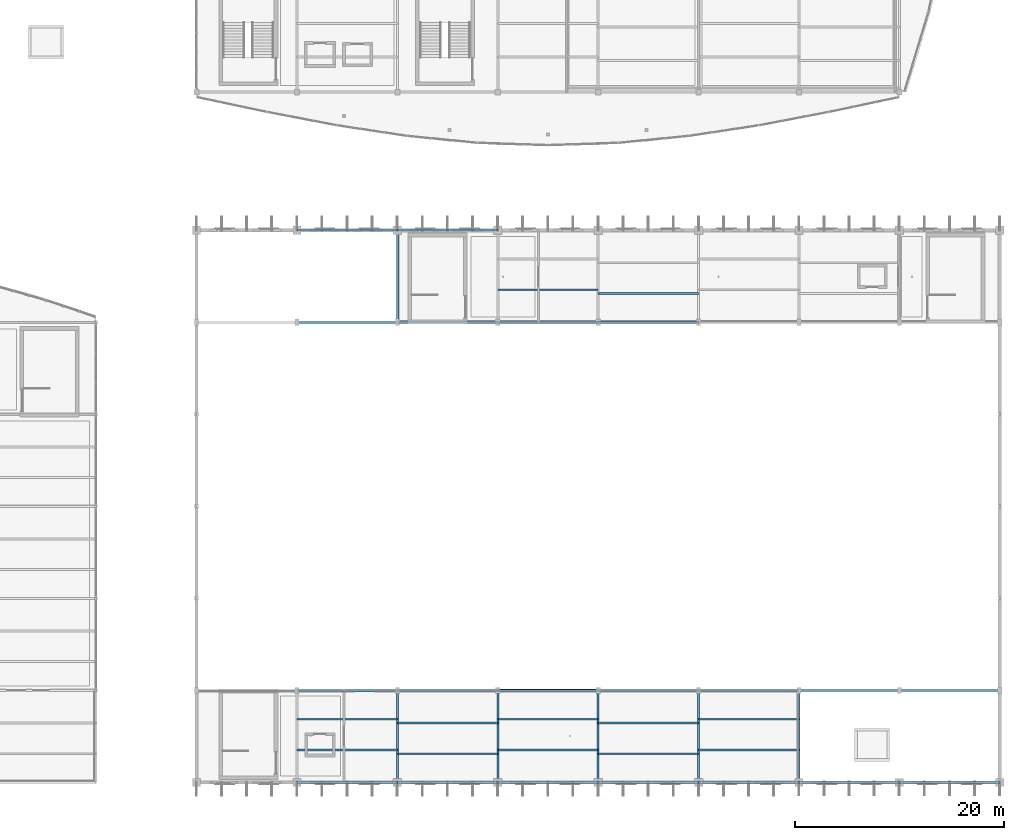
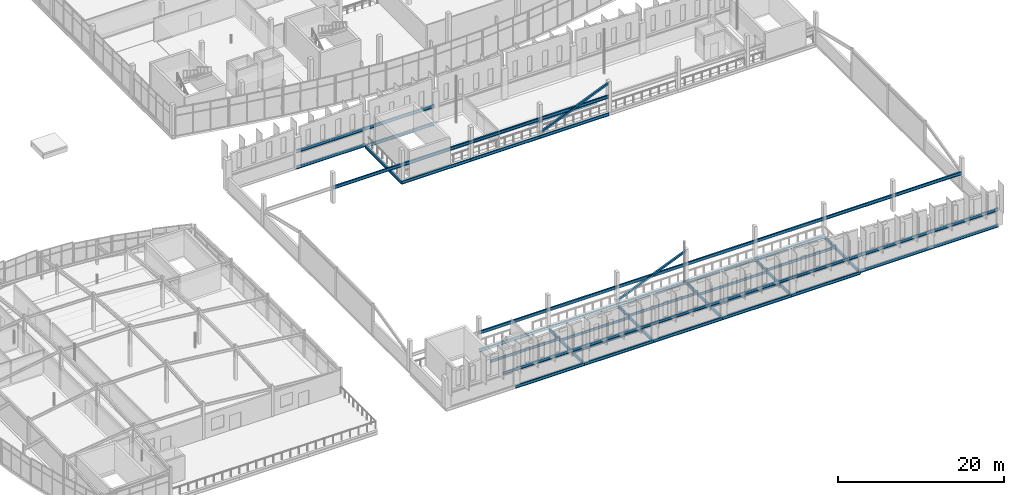
# One storey, part 41 of 114: 55 beams, 2 members.
"""IFC4 building model written with IfcOpenShell, lengths in metres."""

import ifcopenshell
import ifcopenshell.guid

model = None  # the IFC model being written
_history = None  # IfcOwnerHistory: only IFC2X3 demands one
_inside = {}  # id of a spatial element -> (the spatial element, [elements in it])
_under = {}  # id of a project, library or spatial element -> (it, [spatial elements below it])
_declared = {}  # id of a project -> (the project, [libraries it declares])
_typed = {}  # id of a type object -> (the type object, [elements of that type])
_made_of = {}  # id of a material, layer set ... -> (it, [elements and type objects made of it])


def new_model(schema):
    """Start an empty IFC model of exactly this schema.

    Asked for "IFC4X3", IfcOpenShell would pick the latest addendum, in which some entities
    have other attributes; the version numbers below select the first issue.
    IFC2X3 requires an IfcOwnerHistory on every rooted entity: one is made here for all.
    """
    global model, _history
    if schema == "IFC4X3":
        model = ifcopenshell.file(schema_version=(4, 3, 0, 0))
    else:
        model = ifcopenshell.file(schema=schema)
    _inside.clear()
    _under.clear()
    _declared.clear()
    _typed.clear()
    _made_of.clear()
    _history = None
    if model.schema == "IFC2X3":
        org = make("IfcOrganization", Name="unknown")
        user = make(
            "IfcPersonAndOrganization",
            ThePerson=make("IfcPerson", FamilyName="unknown"),
            TheOrganization=org,
        )
        app = make(
            "IfcApplication",
            ApplicationDeveloper=org,
            Version="unknown",
            ApplicationFullName="unknown",
            ApplicationIdentifier="unknown",
        )
        _history = make(
            "IfcOwnerHistory",
            OwningUser=user,
            OwningApplication=app,
            ChangeAction="ADDED",
            CreationDate=0,
        )
    return model


def make(cls, **values):
    """One entity of the class cls with the attributes given. An attribute that is None is left unset."""
    return model.create_entity(
        cls, **{name: value for name, value in values.items() if value is not None}
    )


def rooted(cls, **values):
    """An entity with a GlobalId (a new one), such as an element, a storey or a relation."""
    return make(cls, GlobalId=ifcopenshell.guid.new(), OwnerHistory=_history, **values)


def si_unit(unit_type, name, prefix=None):
    """IfcSIUnit, for example si_unit("LENGTHUNIT", "METRE", prefix="MILLI")."""
    return make("IfcSIUnit", UnitType=unit_type, Prefix=prefix, Name=name)


def assignment(units):
    """IfcUnitAssignment: the units of a project."""
    return None if units is None else make("IfcUnitAssignment", Units=units)


def point(xyz):
    """IfcCartesianPoint."""
    return None if xyz is None else make("IfcCartesianPoint", Coordinates=xyz)


def direction(xyz):
    """IfcDirection."""
    return None if xyz is None else make("IfcDirection", DirectionRatios=xyz)


def frame(location, z_axis=None, x_axis=None):
    """IfcAxis2Placement3D, a coordinate frame: its origin and axes. An axis left out is left unset."""
    return make(
        "IfcAxis2Placement3D",
        Location=point(location),
        Axis=direction(z_axis),
        RefDirection=direction(x_axis),
    )


def frame_2d(location, x_axis=None):
    """IfcAxis2Placement2D, a coordinate frame in the plane: its origin and x axis."""
    return make(
        "IfcAxis2Placement2D", Location=point(location), RefDirection=direction(x_axis)
    )


def origin():
    """The frame at (0, 0, 0) with its axes left unset."""
    return frame((0.0, 0.0, 0.0))


def origin_2d():
    """The frame at (0, 0) in the plane with its x axis left unset."""
    return frame_2d((0.0, 0.0))


def place(relative_to, where):
    """IfcLocalPlacement: puts the frame where relative to a parent placement (None: the world)."""
    return make(
        "IfcLocalPlacement", PlacementRelTo=relative_to, RelativePlacement=where
    )


def context(
    kind, dimensions, precision=None, world=None, true_north=None, identifier=None
):
    """IfcGeometricRepresentationContext, for example the 3D "Model" context."""
    return make(
        "IfcGeometricRepresentationContext",
        ContextIdentifier=identifier,
        ContextType=kind,
        CoordinateSpaceDimension=dimensions,
        Precision=precision,
        WorldCoordinateSystem=world,
        TrueNorth=true_north,
    )


def subcontext(parent, identifier, kind, view, scale=None):
    """IfcGeometricRepresentationSubContext, for example "Body" below "Model"."""
    return make(
        "IfcGeometricRepresentationSubContext",
        ContextIdentifier=identifier,
        ContextType=kind,
        ParentContext=parent,
        TargetScale=scale,
        TargetView=view,
    )


def project(units=None, contexts=None):
    """IfcProject with its units and contexts."""
    return rooted(
        "IfcProject",
        Name="project",
        RepresentationContexts=contexts,
        UnitsInContext=assignment(units),
    )


def spatial(cls, under=None, at=None, **own):
    """A site, building, storey or space (cls), placed at a placement, below another one or the project."""
    s = rooted(cls, ObjectPlacement=at, **own)
    if under is not None:
        _under.setdefault(under.id(), (under, []))[1].append(s)
    return s


def profile(cls, at=None, kind="AREA", **sizes):
    """A parametric profile (cls). Its sizes go by their IFC names, for example OverallWidth=200.0."""
    return make(cls, ProfileType=kind, Position=at, **sizes)


def hollow_rectangle(**sizes):
    """IfcRectangleHollowProfileDef."""
    return profile("IfcRectangleHollowProfileDef", **sizes)


def i_section(**sizes):
    """IfcIShapeProfileDef."""
    return profile("IfcIShapeProfileDef", **sizes)


def extrude(swept, where, along, depth):
    """IfcExtrudedAreaSolid: the profile swept, set in the frame where, extruded along a direction by depth."""
    return make(
        "IfcExtrudedAreaSolid",
        SweptArea=swept,
        Position=where,
        ExtrudedDirection=direction(along),
        Depth=depth,
    )


def shape(context_of_items, identifier, shape_type, items):
    """IfcShapeRepresentation: the items that make up one representation, for example the "Body"."""
    return make(
        "IfcShapeRepresentation",
        ContextOfItems=context_of_items,
        RepresentationIdentifier=identifier,
        RepresentationType=shape_type,
        Items=items,
    )


def material(Name=None, Category=None):
    """IfcMaterial."""
    return make("IfcMaterial", Name=Name, Category=Category)


def material_profile(
    of_material, cross_section, Name=None, Category=None, Priority=None
):
    """IfcMaterialProfile: a cross section and its material."""
    return make(
        "IfcMaterialProfile",
        Name=Name,
        Material=of_material,
        Profile=cross_section,
        Priority=Priority,
        Category=Category,
    )


def profile_set(profiles, Name=None, composite=None):
    """IfcMaterialProfileSet."""
    return make(
        "IfcMaterialProfileSet",
        Name=Name,
        MaterialProfiles=profiles,
        CompositeProfile=composite,
    )


def made_of(thing, what):
    """Note that an element or type object is made of a material, layer set ...; save() writes the relation."""
    if what is not None:
        _made_of.setdefault(what.id(), (what, []))[1].append(thing)
    return thing


def type_object(cls, material=None, **own):
    """A type object (cls), such as IfcWallType, which elements share."""
    return made_of(rooted(cls, **own), material)


def element(
    cls,
    number,
    at=None,
    inside=None,
    cuts=None,
    type_object=None,
    material=None,
    context=None,
    identifier="Body",
    shape_type=None,
    held_by="IfcProductDefinitionShape",
    body=None,
    shapes=None,
    **own,
):
    """One element of the class cls, such as IfcWall. Its Tag is "e" and its number.

    at: its placement. inside: the storey or other place that contains it. cuts: it is an
    opening in that element (IfcRelVoidsElement). A single representation is given by context,
    identifier, shape_type and body (its items); several are given by shapes. held_by: the class
    of the entity that holds the representations. save() writes the other relations.
    """
    e = rooted(cls, Tag="e%d" % number, ObjectPlacement=at, **own)
    if body is not None:
        shapes = [shape(context, identifier, shape_type, body)]
    if shapes is not None:
        e.Representation = make(held_by, Representations=shapes)
    if inside is not None:
        _inside.setdefault(inside.id(), (inside, []))[1].append(e)
    if cuts is not None:
        rooted(
            "IfcRelVoidsElement", RelatingBuildingElement=cuts, RelatedOpeningElement=e
        )
    if type_object is not None:
        _typed.setdefault(type_object.id(), (type_object, []))[1].append(e)
    return made_of(e, material)


def aggregate(whole, parts):
    """IfcRelAggregates: a whole, such as a stair, and the parts it consists of."""
    return rooted("IfcRelAggregates", RelatingObject=whole, RelatedObjects=parts)


def save(model, path):
    """Write the relations noted so far, then the file.

    IfcRelAggregates (storeys below a building ...), IfcRelContainedInSpatialStructure (elements
    in a storey), IfcRelDefinesByType, IfcRelAssociatesMaterial and IfcRelDeclares: one each for
    every whole, place, type object, material and project.
    """
    for whole, parts in _under.values():
        aggregate(whole, parts)
    for where, things in _inside.values():
        rooted(
            "IfcRelContainedInSpatialStructure",
            RelatedElements=things,
            RelatingStructure=where,
        )
    for kind, things in _typed.values():
        rooted("IfcRelDefinesByType", RelatedObjects=things, RelatingType=kind)
    for what, things in _made_of.values():
        rooted("IfcRelAssociatesMaterial", RelatedObjects=things, RelatingMaterial=what)
    for by, libraries in _declared.values():
        rooted("IfcRelDeclares", RelatingContext=by, RelatedDefinitions=libraries)
    model.write(path)


model = new_model("IFC4")

# Units and contexts
model_context = context("Model", 3, precision=1e-05, world=origin(), true_north=direction((0.0, 1.0)))
body_context = subcontext(model_context, "Body", "Model", "MODEL_VIEW")
ifc_project = project(units=[si_unit("LENGTHUNIT", "METRE"), si_unit("AREAUNIT", "SQUARE_METRE"), si_unit("VOLUMEUNIT", "CUBIC_METRE"), si_unit("PLANEANGLEUNIT", "RADIAN"), si_unit("MASSUNIT", "GRAM", prefix="KILO")], contexts=[model_context])

# Site, building, storey
site_placement = place(None, origin())
site = spatial("IfcSite", under=ifc_project, at=site_placement, CompositionType="ELEMENT")
building_placement = place(site_placement, origin())
building = spatial("IfcBuilding", under=site, at=building_placement, Name="Chalmorin Arch Market", CompositionType="ELEMENT")
storey_placement = place(building_placement, frame((0.0, 0.0, 9.60009765625)))
storey = spatial("IfcBuildingStorey", under=building, at=storey_placement, Name="L02", CompositionType="ELEMENT", Elevation=9.60009765625)

# Beams
ifc_material_1 = material(Name="Steel A992 Grade 50", Category="steel")
ifc_material_profile_1 = material_profile(ifc_material_1, i_section(OverallWidth=0.19091796875, OverallDepth=0.45703125, WebThickness=0.009033203125, FlangeThickness=0.014404296875, FilletRadius=0.02001953125, at=origin_2d()), Name="W18X50")
ifc_profile_set_1 = profile_set([ifc_material_profile_1], Name="Steel A992 Grade 50")
beam_type_1 = type_object("IfcBeamType", Name="FloorSteelBeam-W18X50", PredefinedType="BEAM", material=ifc_profile_set_1)
for number, where, z_axis, x_axis, name in (
    (1, (67.199951171875, 6.0, -0.460693359375), (0.0, 1.0, 0.0), (-1.0, 0.0, 0.0), "BM-W18B-1084"),
    (2, (76.800048828125, 6.0, -0.460693359375), (0.0, 1.0, 0.0), (-1.0, 0.0, 0.0), "BM-W18B-1087"),
    (3, (86.39990234375, 6.0, -0.460693359375), (0.0, 1.0, 0.0), (-1.0, 0.0, 0.0), "BM-W18B-1090"),
    (4, (96.0, 6.0, -0.460693359375), (0.0, 1.0, 0.0), (-1.0, 0.0, 0.0), "BM-W18B-1093"),
):
    element("IfcBeam", number, at=place(storey_placement, frame(where, z_axis=z_axis, x_axis=x_axis)), inside=storey, type_object=beam_type_1, Name=name, PredefinedType="BEAM", context=body_context, shape_type="SweptSolid", body=[
        extrude(i_section(OverallWidth=0.19091796875, OverallDepth=0.45703125, WebThickness=0.009033203125, FlangeThickness=0.014404296875, FilletRadius=0.02001953125, at=origin_2d()), origin(), (0.0, 0.0, 1.0), 8.800048828125),
    ])
ifc_material_profile_2 = material_profile(ifc_material_1, i_section(OverallWidth=0.193115234375, OverallDepth=0.466064453125, WebThickness=0.011474609375, FlangeThickness=0.01904296875, FilletRadius=0.02001953125, at=origin_2d()), Name="W18X65")
ifc_profile_set_2 = profile_set([ifc_material_profile_2], Name="Steel A992 Grade 50")
beam_type_2 = type_object("IfcBeamType", Name="FloorSteelBeam-W18X65", PredefinedType="BEAM", material=ifc_profile_set_2)
for number, where, z_axis, x_axis, name in (
    (5, (57.60009765625, 6.0, 2.14990234375), (1.0, 0.0, 0.0), (0.0, 1.0, 0.0), "BM-W18A-1768"),
    (6, (57.60009765625, 14.800048828125, 2.14990234375), (1.0, 0.0, 0.0), (0.0, 1.0, 0.0), "BM-W18A-1769"),
    (7, (57.60009765625, 50.0, 2.14990234375), (1.0, 0.0, 0.0), (0.0, 1.0, 0.0), "BM-W18A-1770"),
    (8, (57.60009765625, 58.800048828125, 2.14990234375), (1.0, 0.0, 0.0), (0.0, 1.0, 0.0), "BM-W18A-1771"),
):
    element("IfcBeam", number, at=place(storey_placement, frame(where, z_axis=z_axis, x_axis=x_axis)), inside=storey, type_object=beam_type_2, Name=name, PredefinedType="BEAM", context=body_context, shape_type="SweptSolid", body=[
        extrude(i_section(OverallWidth=0.193115234375, OverallDepth=0.466064453125, WebThickness=0.011474609375, FlangeThickness=0.01904296875, FilletRadius=0.02001953125, at=origin_2d()), origin(), (0.0, 0.0, 1.0), 9.599853515625),
    ])
for number, where, z_axis, x_axis, name in (
    (9, (67.199951171875, 6.0, 2.14990234375), (1.0, 0.0, 0.0), (0.0, 1.0, 0.0), "BM-W18A-1772"),
    (10, (67.199951171875, 14.800048828125, 2.14990234375), (1.0, 0.0, 0.0), (0.0, 1.0, 0.0), "BM-W18A-1773"),
    (11, (67.199951171875, 50.0, 2.14990234375), (1.0, 0.0, 0.0), (0.0, 1.0, 0.0), "BM-W18A-1774"),
    (12, (67.199951171875, 58.800048828125, 2.14990234375), (1.0, 0.0, 0.0), (0.0, 1.0, 0.0), "BM-W18A-1775"),
):
    element("IfcBeam", number, at=place(storey_placement, frame(where, z_axis=z_axis, x_axis=x_axis)), inside=storey, type_object=beam_type_2, Name=name, PredefinedType="BEAM", context=body_context, shape_type="SweptSolid", body=[
        extrude(i_section(OverallWidth=0.193115234375, OverallDepth=0.466064453125, WebThickness=0.011474609375, FlangeThickness=0.01904296875, FilletRadius=0.02001953125, at=origin_2d()), origin(), (0.0, 0.0, 1.0), 9.60009765625),
    ])
for number, where, z_axis, x_axis, name in (
    (13, (76.800048828125, 6.0, 2.14990234375), (1.0, 0.0, 0.0), (0.0, 1.0, 0.0), "BM-W18A-1776"),
    (14, (76.800048828125, 14.800048828125, 2.14990234375), (1.0, 0.0, 0.0), (0.0, 1.0, 0.0), "BM-W18A-1777"),
    (15, (76.800048828125, 50.0, 2.14990234375), (1.0, 0.0, 0.0), (0.0, 1.0, 0.0), "BM-W18A-1778"),
):
    element("IfcBeam", number, at=place(storey_placement, frame(where, z_axis=z_axis, x_axis=x_axis)), inside=storey, type_object=beam_type_2, Name=name, PredefinedType="BEAM", context=body_context, shape_type="SweptSolid", body=[
        extrude(i_section(OverallWidth=0.193115234375, OverallDepth=0.466064453125, WebThickness=0.011474609375, FlangeThickness=0.01904296875, FilletRadius=0.02001953125, at=origin_2d()), origin(), (0.0, 0.0, 1.0), 9.599853515625),
    ])
for number, where, z_axis, x_axis, name in (
    (16, (86.39990234375, 6.0, 2.14990234375), (1.0, 0.0, 0.0), (0.0, 1.0, 0.0), "BM-W18A-1780"),
    (17, (86.39990234375, 14.800048828125, 2.14990234375), (1.0, 0.0, 0.0), (0.0, 1.0, 0.0), "BM-W18A-1781"),
    (18, (86.39990234375, 50.0, 2.14990234375), (1.0, 0.0, 0.0), (0.0, 1.0, 0.0), "BM-W18A-1782"),
    (19, (96.0, 6.0, 2.14990234375), (1.0, 0.0, 0.0), (0.0, 1.0, 0.0), "BM-W18A-1784"),
    (20, (96.0, 14.800048828125, 2.14990234375), (1.0, 0.0, 0.0), (0.0, 1.0, 0.0), "BM-W18A-1785"),
):
    element("IfcBeam", number, at=place(storey_placement, frame(where, z_axis=z_axis, x_axis=x_axis)), inside=storey, type_object=beam_type_2, Name=name, PredefinedType="BEAM", context=body_context, shape_type="SweptSolid", body=[
        extrude(i_section(OverallWidth=0.193115234375, OverallDepth=0.466064453125, WebThickness=0.011474609375, FlangeThickness=0.01904296875, FilletRadius=0.02001953125, at=origin_2d()), origin(), (0.0, 0.0, 1.0), 9.60009765625),
    ])
for number, where, z_axis, x_axis, name in (
    (21, (105.60009765625, 6.0, 2.14990234375), (1.0, 0.0, 0.0), (0.0, 1.0, 0.0), "BM-W18A-1788"),
    (22, (105.60009765625, 14.800048828125, 2.14990234375), (1.0, 0.0, 0.0), (0.0, 1.0, 0.0), "BM-W18A-1789"),
):
    element("IfcBeam", number, at=place(storey_placement, frame(where, z_axis=z_axis, x_axis=x_axis)), inside=storey, type_object=beam_type_2, Name=name, PredefinedType="BEAM", context=body_context, shape_type="SweptSolid", body=[
        extrude(i_section(OverallWidth=0.193115234375, OverallDepth=0.466064453125, WebThickness=0.011474609375, FlangeThickness=0.01904296875, FilletRadius=0.02001953125, at=origin_2d()), origin(), (0.0, 0.0, 1.0), 9.599853515625),
    ])
for number, where, z_axis, x_axis, name in (
    (23, (115.199951171875, 6.0, 2.14990234375), (1.0, 0.0, 0.0), (0.0, 1.0, 0.0), "BM-W18A-1792"),
    (24, (115.199951171875, 14.800048828125, 2.14990234375), (1.0, 0.0, 0.0), (0.0, 1.0, 0.0), "BM-W18A-1793"),
):
    element("IfcBeam", number, at=place(storey_placement, frame(where, z_axis=z_axis, x_axis=x_axis)), inside=storey, type_object=beam_type_2, Name=name, PredefinedType="BEAM", context=body_context, shape_type="SweptSolid", body=[
        extrude(i_section(OverallWidth=0.193115234375, OverallDepth=0.466064453125, WebThickness=0.011474609375, FlangeThickness=0.01904296875, FilletRadius=0.02001953125, at=origin_2d()), origin(), (0.0, 0.0, 1.0), 9.60009765625),
    ])

# Members
ifc_material_2 = material(Name="Steel A500 Grade C", Category="steel")
ifc_material_profile_3 = material_profile(ifc_material_2, hollow_rectangle(XDim=0.25390625, YDim=0.25390625, WallThickness=0.01171875, at=origin_2d()), Name="HSS10X10X1/2")
ifc_profile_set_3 = profile_set([ifc_material_profile_3], Name="Steel A500 Grade C")
member_type = type_object("IfcMemberType", Name="LateralTubeBrace-HSS10X10", PredefinedType="BRACE", material=ifc_profile_set_3)
member_1_placement = place(storey_placement, frame((76.800048828125, 14.800048828125, 0.14990234375), z_axis=(0.923074839451, 0.0, 0.384620385279), x_axis=(0.0, 1.0, 0.0)))
element("IfcMember", 25, at=member_1_placement, inside=storey, type_object=member_type, Name="BR-HS10-0337", ObjectType="Diagonal brace", PredefinedType="BRACE", context=body_context, shape_type="SweptSolid", body=[
    extrude(hollow_rectangle(XDim=0.25390625, YDim=0.25390625, WallThickness=0.01171875, at=origin_2d()), origin(), (0.0, 0.0, 1.0), 10.39990234375),
])
member_2_placement = place(storey_placement, frame((86.39990234375, 50.0, 0.14990234375), z_axis=(0.923078312116, 0.0, 0.384612050905), x_axis=(0.0, 1.0, 0.0)))
element("IfcMember", 26, at=member_2_placement, inside=storey, type_object=member_type, Name="BR-HS10-0339", ObjectType="Diagonal brace", PredefinedType="BRACE", context=body_context, shape_type="SweptSolid", body=[
    extrude(hollow_rectangle(XDim=0.25390625, YDim=0.25390625, WallThickness=0.01171875, at=origin_2d()), origin(), (0.0, 0.0, 1.0), 10.400146484375),
])

# Beams
ifc_material_profile_4 = material_profile(ifc_material_1, i_section(OverallWidth=0.19091796875, OverallDepth=0.45703125, WebThickness=0.009033203125, FlangeThickness=0.014404296875, FilletRadius=0.02001953125, at=origin_2d()), Name="W18X50")
ifc_profile_set_4 = profile_set([ifc_material_profile_4], Name="Steel A992 Grade 50")
beam_type_3 = type_object("IfcBeamType", Name="PerimeterSpandrelBeam-W18X50", PredefinedType="SPANDREL", material=ifc_profile_set_4)
for number, where, z_axis, x_axis, name in (
    (27, (57.60009765625, 6.0, -0.460693359375), (1.0, 0.0, 0.0), (0.0, 1.0, 0.0), "SP-W18-1082"),
    (28, (57.60009765625, 14.800048828125, -0.460693359375), (1.0, 0.0, 0.0), (0.0, 1.0, 0.0), "SP-W18-1083"),
):
    element("IfcBeam", number, at=place(storey_placement, frame(where, z_axis=z_axis, x_axis=x_axis)), inside=storey, type_object=beam_type_3, Name=name, PredefinedType="SPANDREL", context=body_context, shape_type="SweptSolid", body=[
        extrude(i_section(OverallWidth=0.19091796875, OverallDepth=0.45703125, WebThickness=0.009033203125, FlangeThickness=0.014404296875, FilletRadius=0.02001953125, at=origin_2d()), origin(), (0.0, 0.0, 1.0), 9.599853515625),
    ])
for number, where, z_axis, x_axis, name in (
    (29, (67.199951171875, 6.0, -0.460693359375), (1.0, 0.0, 0.0), (0.0, 1.0, 0.0), "SP-W18-1085"),
    (30, (67.199951171875, 14.800048828125, -0.460693359375), (1.0, 0.0, 0.0), (0.0, 1.0, 0.0), "SP-W18-1086"),
):
    element("IfcBeam", number, at=place(storey_placement, frame(where, z_axis=z_axis, x_axis=x_axis)), inside=storey, type_object=beam_type_3, Name=name, PredefinedType="SPANDREL", context=body_context, shape_type="SweptSolid", body=[
        extrude(i_section(OverallWidth=0.19091796875, OverallDepth=0.45703125, WebThickness=0.009033203125, FlangeThickness=0.014404296875, FilletRadius=0.02001953125, at=origin_2d()), origin(), (0.0, 0.0, 1.0), 9.60009765625),
    ])
for number, where, z_axis, x_axis, name in (
    (31, (76.800048828125, 6.0, -0.460693359375), (1.0, 0.0, 0.0), (0.0, 1.0, 0.0), "SP-W18-1088"),
    (32, (76.800048828125, 14.800048828125, -0.460693359375), (1.0, 0.0, 0.0), (0.0, 1.0, 0.0), "SP-W18-1089"),
):
    element("IfcBeam", number, at=place(storey_placement, frame(where, z_axis=z_axis, x_axis=x_axis)), inside=storey, type_object=beam_type_3, Name=name, PredefinedType="SPANDREL", context=body_context, shape_type="SweptSolid", body=[
        extrude(i_section(OverallWidth=0.19091796875, OverallDepth=0.45703125, WebThickness=0.009033203125, FlangeThickness=0.014404296875, FilletRadius=0.02001953125, at=origin_2d()), origin(), (0.0, 0.0, 1.0), 9.599853515625),
    ])
for number, where, z_axis, x_axis, name in (
    (33, (86.39990234375, 6.0, -0.460693359375), (1.0, 0.0, 0.0), (0.0, 1.0, 0.0), "SP-W18-1091"),
    (34, (86.39990234375, 14.800048828125, -0.460693359375), (1.0, 0.0, 0.0), (0.0, 1.0, 0.0), "SP-W18-1092"),
    (35, (96.0, 6.0, -0.460693359375), (1.0, 0.0, 0.0), (0.0, 1.0, 0.0), "SP-W18-1094"),
    (36, (96.0, 14.800048828125, -0.460693359375), (1.0, 0.0, 0.0), (0.0, 1.0, 0.0), "SP-W18-1095"),
):
    element("IfcBeam", number, at=place(storey_placement, frame(where, z_axis=z_axis, x_axis=x_axis)), inside=storey, type_object=beam_type_3, Name=name, PredefinedType="SPANDREL", context=body_context, shape_type="SweptSolid", body=[
        extrude(i_section(OverallWidth=0.19091796875, OverallDepth=0.45703125, WebThickness=0.009033203125, FlangeThickness=0.014404296875, FilletRadius=0.02001953125, at=origin_2d()), origin(), (0.0, 0.0, 1.0), 9.60009765625),
    ])
beam_1_placement = place(storey_placement, frame((105.60009765625, 6.0, -0.460693359375), z_axis=(0.0, 1.0, 0.0), x_axis=(-1.0, 0.0, 0.0)))
element("IfcBeam", 37, at=beam_1_placement, inside=storey, type_object=beam_type_3, Name="SP-W18-1096", PredefinedType="SPANDREL", context=body_context, shape_type="SweptSolid", body=[
    extrude(i_section(OverallWidth=0.19091796875, OverallDepth=0.45703125, WebThickness=0.009033203125, FlangeThickness=0.014404296875, FilletRadius=0.02001953125, at=origin_2d()), origin(), (0.0, 0.0, 1.0), 8.800048828125),
])
for number, where, z_axis, x_axis, name in (
    (38, (67.199951171875, 50.0, -0.460693359375), (1.0, 0.0, 0.0), (0.0, 1.0, 0.0), "SP-W18-1107"),
    (39, (67.199951171875, 58.800048828125, -0.460693359375), (1.0, 0.0, 0.0), (0.0, 1.0, 0.0), "SP-W18-1108"),
):
    element("IfcBeam", number, at=place(storey_placement, frame(where, z_axis=z_axis, x_axis=x_axis)), inside=storey, type_object=beam_type_3, Name=name, PredefinedType="SPANDREL", context=body_context, shape_type="SweptSolid", body=[
        extrude(i_section(OverallWidth=0.19091796875, OverallDepth=0.45703125, WebThickness=0.009033203125, FlangeThickness=0.014404296875, FilletRadius=0.02001953125, at=origin_2d()), origin(), (0.0, 0.0, 1.0), 9.60009765625),
    ])
beam_2_placement = place(storey_placement, frame((67.199951171875, 50.0, -0.460693359375), z_axis=(0.0, 1.0, 0.0), x_axis=(-1.0, 0.0, 0.0)))
element("IfcBeam", 40, at=beam_2_placement, inside=storey, type_object=beam_type_3, Name="SP-W18-1109", PredefinedType="SPANDREL", context=body_context, shape_type="SweptSolid", body=[
    extrude(i_section(OverallWidth=0.19091796875, OverallDepth=0.45703125, WebThickness=0.009033203125, FlangeThickness=0.014404296875, FilletRadius=0.02001953125, at=origin_2d()), origin(), (0.0, 0.0, 1.0), 8.800048828125),
])
beam_3_placement = place(storey_placement, frame((76.800048828125, 50.0, -0.460693359375), z_axis=(1.0, 0.0, 0.0), x_axis=(0.0, 1.0, 0.0)))
element("IfcBeam", 41, at=beam_3_placement, inside=storey, type_object=beam_type_3, Name="SP-W18-1111", PredefinedType="SPANDREL", context=body_context, shape_type="SweptSolid", body=[
    extrude(i_section(OverallWidth=0.19091796875, OverallDepth=0.45703125, WebThickness=0.009033203125, FlangeThickness=0.014404296875, FilletRadius=0.02001953125, at=origin_2d()), origin(), (0.0, 0.0, 1.0), 9.599853515625),
])
beam_4_placement = place(storey_placement, frame((86.39990234375, 50.0, -0.460693359375), z_axis=(1.0, 0.0, 0.0), x_axis=(0.0, 1.0, 0.0)))
element("IfcBeam", 42, at=beam_4_placement, inside=storey, type_object=beam_type_3, Name="SP-W18-1114", PredefinedType="SPANDREL", context=body_context, shape_type="SweptSolid", body=[
    extrude(i_section(OverallWidth=0.19091796875, OverallDepth=0.45703125, WebThickness=0.009033203125, FlangeThickness=0.014404296875, FilletRadius=0.02001953125, at=origin_2d()), origin(), (0.0, 0.0, 1.0), 9.60009765625),
])
beam_5_placement = place(storey_placement, frame((105.60009765625, 6.0, -0.22998046875), z_axis=(1.0, 0.0, 0.0), x_axis=(0.0, 1.0, 0.0)))
element("IfcBeam", 43, at=beam_5_placement, inside=storey, type_object=beam_type_3, Name="SP-W18-1363", PredefinedType="SPANDREL", context=body_context, shape_type="SweptSolid", body=[
    extrude(i_section(OverallWidth=0.19091796875, OverallDepth=0.45703125, WebThickness=0.009033203125, FlangeThickness=0.014404296875, FilletRadius=0.02001953125, at=origin_2d()), origin(), (0.0, 0.0, 1.0), 9.599853515625),
])
beam_6_placement = place(storey_placement, frame((115.199951171875, 6.0, -0.22998046875), z_axis=(1.0, 0.0, 0.0), x_axis=(0.0, 1.0, 0.0)))
element("IfcBeam", 44, at=beam_6_placement, inside=storey, type_object=beam_type_3, Name="SP-W18-1364", PredefinedType="SPANDREL", context=body_context, shape_type="SweptSolid", body=[
    extrude(i_section(OverallWidth=0.19091796875, OverallDepth=0.45703125, WebThickness=0.009033203125, FlangeThickness=0.014404296875, FilletRadius=0.02001953125, at=origin_2d()), origin(), (0.0, 0.0, 1.0), 9.60009765625),
])
beam_7_placement = place(storey_placement, frame((57.60009765625, 58.800048828125, -0.22998046875), z_axis=(1.0, 0.0, 0.0), x_axis=(0.0, 1.0, 0.0)))
element("IfcBeam", 45, at=beam_7_placement, inside=storey, type_object=beam_type_3, Name="SP-W18-1366", PredefinedType="SPANDREL", context=body_context, shape_type="SweptSolid", body=[
    extrude(i_section(OverallWidth=0.19091796875, OverallDepth=0.45703125, WebThickness=0.009033203125, FlangeThickness=0.014404296875, FilletRadius=0.02001953125, at=origin_2d()), origin(), (0.0, 0.0, 1.0), 9.599853515625),
])
ifc_material_profile_5 = material_profile(ifc_material_1, i_section(OverallWidth=0.1708984375, OverallDepth=0.35107421875, WebThickness=0.0068359375, FlangeThickness=0.009765625, FilletRadius=0.014892578125, at=origin_2d()), Name="W14X30")
ifc_profile_set_5 = profile_set([ifc_material_profile_5], Name="Steel A992 Grade 50")
beam_type_4 = type_object("IfcBeamType", Name="SecondaryFloorJoist-W14X30", PredefinedType="JOIST", material=ifc_profile_set_5)
for number, where, z_axis, x_axis, name in (
    (46, (57.60009765625, 9.11328125, -0.40771484375), (1.0, 0.0, 0.0), (0.0, 1.0, 0.0), "BJ-W14-1097"),
    (47, (57.60009765625, 12.046630859375, -0.40771484375), (1.0, 0.0, 0.0), (0.0, 1.0, 0.0), "BJ-W14-1098"),
):
    element("IfcBeam", number, at=place(storey_placement, frame(where, z_axis=z_axis, x_axis=x_axis)), inside=storey, type_object=beam_type_4, Name=name, PredefinedType="JOIST", context=body_context, shape_type="SweptSolid", body=[
        extrude(i_section(OverallWidth=0.1708984375, OverallDepth=0.35107421875, WebThickness=0.0068359375, FlangeThickness=0.009765625, FilletRadius=0.014892578125, at=origin_2d()), origin(), (0.0, 0.0, 1.0), 9.599853515625),
    ])
for number, where, z_axis, x_axis, name in (
    (48, (67.199951171875, 8.75341796875, -0.40771484375), (1.0, 0.0, 0.0), (0.0, 1.0, 0.0), "BJ-W14-1099"),
    (49, (67.199951171875, 11.686767578125, -0.40771484375), (1.0, 0.0, 0.0), (0.0, 1.0, 0.0), "BJ-W14-1100"),
):
    element("IfcBeam", number, at=place(storey_placement, frame(where, z_axis=z_axis, x_axis=x_axis)), inside=storey, type_object=beam_type_4, Name=name, PredefinedType="JOIST", context=body_context, shape_type="SweptSolid", body=[
        extrude(i_section(OverallWidth=0.1708984375, OverallDepth=0.35107421875, WebThickness=0.0068359375, FlangeThickness=0.009765625, FilletRadius=0.014892578125, at=origin_2d()), origin(), (0.0, 0.0, 1.0), 9.60009765625),
    ])
for number, where, z_axis, x_axis, name in (
    (50, (76.800048828125, 9.11328125, -0.40771484375), (1.0, 0.0, 0.0), (0.0, 1.0, 0.0), "BJ-W14-1101"),
    (51, (76.800048828125, 12.046630859375, -0.40771484375), (1.0, 0.0, 0.0), (0.0, 1.0, 0.0), "BJ-W14-1102"),
):
    element("IfcBeam", number, at=place(storey_placement, frame(where, z_axis=z_axis, x_axis=x_axis)), inside=storey, type_object=beam_type_4, Name=name, PredefinedType="JOIST", context=body_context, shape_type="SweptSolid", body=[
        extrude(i_section(OverallWidth=0.1708984375, OverallDepth=0.35107421875, WebThickness=0.0068359375, FlangeThickness=0.009765625, FilletRadius=0.014892578125, at=origin_2d()), origin(), (0.0, 0.0, 1.0), 9.599853515625),
    ])
for number, where, z_axis, x_axis, name in (
    (52, (86.39990234375, 8.75341796875, -0.40771484375), (1.0, 0.0, 0.0), (0.0, 1.0, 0.0), "BJ-W14-1103"),
    (53, (86.39990234375, 11.686767578125, -0.40771484375), (1.0, 0.0, 0.0), (0.0, 1.0, 0.0), "BJ-W14-1104"),
    (54, (96.0, 9.11328125, -0.40771484375), (1.0, 0.0, 0.0), (0.0, 1.0, 0.0), "BJ-W14-1105"),
    (55, (96.0, 12.046630859375, -0.40771484375), (1.0, 0.0, 0.0), (0.0, 1.0, 0.0), "BJ-W14-1106"),
):
    element("IfcBeam", number, at=place(storey_placement, frame(where, z_axis=z_axis, x_axis=x_axis)), inside=storey, type_object=beam_type_4, Name=name, PredefinedType="JOIST", context=body_context, shape_type="SweptSolid", body=[
        extrude(i_section(OverallWidth=0.1708984375, OverallDepth=0.35107421875, WebThickness=0.0068359375, FlangeThickness=0.009765625, FilletRadius=0.014892578125, at=origin_2d()), origin(), (0.0, 0.0, 1.0), 9.60009765625),
    ])
beam_8_placement = place(storey_placement, frame((76.800048828125, 53.11328125, -0.40771484375), z_axis=(1.0, 0.0, 0.0), x_axis=(0.0, 1.0, 0.0)))
element("IfcBeam", 56, at=beam_8_placement, inside=storey, type_object=beam_type_4, Name="BJ-W14-1126", PredefinedType="JOIST", context=body_context, shape_type="SweptSolid", body=[
    extrude(i_section(OverallWidth=0.1708984375, OverallDepth=0.35107421875, WebThickness=0.0068359375, FlangeThickness=0.009765625, FilletRadius=0.014892578125, at=origin_2d()), origin(), (0.0, 0.0, 1.0), 9.599853515625),
])
beam_9_placement = place(storey_placement, frame((86.39990234375, 52.75341796875, -0.40771484375), z_axis=(1.0, 0.0, 0.0), x_axis=(0.0, 1.0, 0.0)))
element("IfcBeam", 57, at=beam_9_placement, inside=storey, type_object=beam_type_4, Name="BJ-W14-1128", PredefinedType="JOIST", context=body_context, shape_type="SweptSolid", body=[
    extrude(i_section(OverallWidth=0.1708984375, OverallDepth=0.35107421875, WebThickness=0.0068359375, FlangeThickness=0.009765625, FilletRadius=0.014892578125, at=origin_2d()), origin(), (0.0, 0.0, 1.0), 9.60009765625),
])

save(model, "model.ifc")
